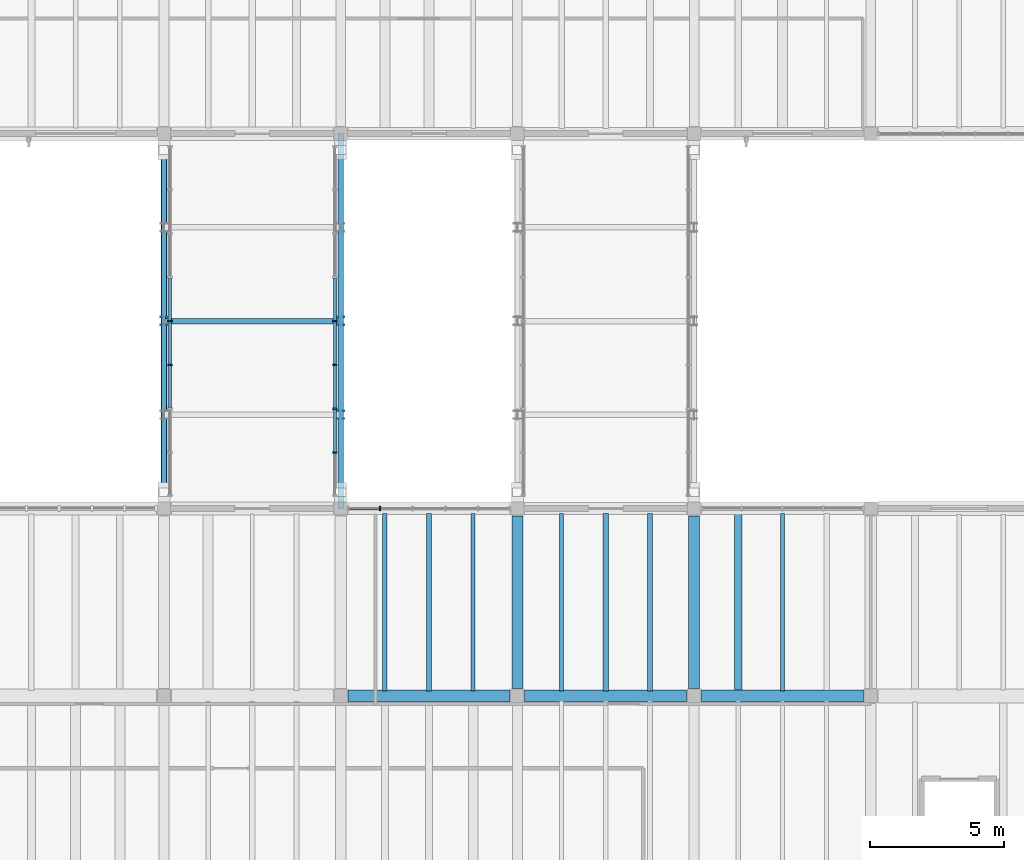
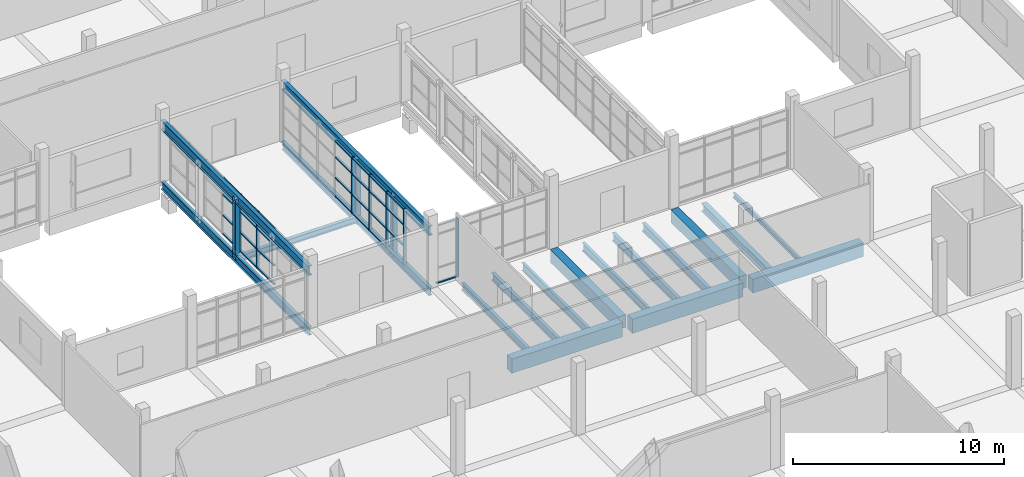
# One storey, part 18 of 65: 43 members, 14 beams, 3 elements without a shape of their own.
"""IFC4 building model written with IfcOpenShell, lengths in metres."""

import ifcopenshell
import ifcopenshell.guid

model = None  # the IFC model being written
_history = None  # IfcOwnerHistory: only IFC2X3 demands one
_inside = {}  # id of a spatial element -> (the spatial element, [elements in it])
_under = {}  # id of a project, library or spatial element -> (it, [spatial elements below it])
_declared = {}  # id of a project -> (the project, [libraries it declares])
_typed = {}  # id of a type object -> (the type object, [elements of that type])
_made_of = {}  # id of a material, layer set ... -> (it, [elements and type objects made of it])


def new_model(schema):
    """Start an empty IFC model of exactly this schema.

    Asked for "IFC4X3", IfcOpenShell would pick the latest addendum, in which some entities
    have other attributes; the version numbers below select the first issue.
    IFC2X3 requires an IfcOwnerHistory on every rooted entity: one is made here for all.
    """
    global model, _history
    if schema == "IFC4X3":
        model = ifcopenshell.file(schema_version=(4, 3, 0, 0))
    else:
        model = ifcopenshell.file(schema=schema)
    _inside.clear()
    _under.clear()
    _declared.clear()
    _typed.clear()
    _made_of.clear()
    _history = None
    if model.schema == "IFC2X3":
        org = make("IfcOrganization", Name="unknown")
        user = make(
            "IfcPersonAndOrganization",
            ThePerson=make("IfcPerson", FamilyName="unknown"),
            TheOrganization=org,
        )
        app = make(
            "IfcApplication",
            ApplicationDeveloper=org,
            Version="unknown",
            ApplicationFullName="unknown",
            ApplicationIdentifier="unknown",
        )
        _history = make(
            "IfcOwnerHistory",
            OwningUser=user,
            OwningApplication=app,
            ChangeAction="ADDED",
            CreationDate=0,
        )
    return model


def make(cls, **values):
    """One entity of the class cls with the attributes given. An attribute that is None is left unset."""
    return model.create_entity(
        cls, **{name: value for name, value in values.items() if value is not None}
    )


def rooted(cls, **values):
    """An entity with a GlobalId (a new one), such as an element, a storey or a relation."""
    return make(cls, GlobalId=ifcopenshell.guid.new(), OwnerHistory=_history, **values)


def si_unit(unit_type, name, prefix=None):
    """IfcSIUnit, for example si_unit("LENGTHUNIT", "METRE", prefix="MILLI")."""
    return make("IfcSIUnit", UnitType=unit_type, Prefix=prefix, Name=name)


def assignment(units):
    """IfcUnitAssignment: the units of a project."""
    return None if units is None else make("IfcUnitAssignment", Units=units)


def point(xyz):
    """IfcCartesianPoint."""
    return None if xyz is None else make("IfcCartesianPoint", Coordinates=xyz)


def direction(xyz):
    """IfcDirection."""
    return None if xyz is None else make("IfcDirection", DirectionRatios=xyz)


def frame(location, z_axis=None, x_axis=None):
    """IfcAxis2Placement3D, a coordinate frame: its origin and axes. An axis left out is left unset."""
    return make(
        "IfcAxis2Placement3D",
        Location=point(location),
        Axis=direction(z_axis),
        RefDirection=direction(x_axis),
    )


def frame_2d(location, x_axis=None):
    """IfcAxis2Placement2D, a coordinate frame in the plane: its origin and x axis."""
    return make(
        "IfcAxis2Placement2D", Location=point(location), RefDirection=direction(x_axis)
    )


def origin():
    """The frame at (0, 0, 0) with its axes left unset."""
    return frame((0.0, 0.0, 0.0))


def origin_2d():
    """The frame at (0, 0) in the plane with its x axis left unset."""
    return frame_2d((0.0, 0.0))


def place(relative_to, where):
    """IfcLocalPlacement: puts the frame where relative to a parent placement (None: the world)."""
    return make(
        "IfcLocalPlacement", PlacementRelTo=relative_to, RelativePlacement=where
    )


def context(
    kind, dimensions, precision=None, world=None, true_north=None, identifier=None
):
    """IfcGeometricRepresentationContext, for example the 3D "Model" context."""
    return make(
        "IfcGeometricRepresentationContext",
        ContextIdentifier=identifier,
        ContextType=kind,
        CoordinateSpaceDimension=dimensions,
        Precision=precision,
        WorldCoordinateSystem=world,
        TrueNorth=true_north,
    )


def subcontext(parent, identifier, kind, view, scale=None):
    """IfcGeometricRepresentationSubContext, for example "Body" below "Model"."""
    return make(
        "IfcGeometricRepresentationSubContext",
        ContextIdentifier=identifier,
        ContextType=kind,
        ParentContext=parent,
        TargetScale=scale,
        TargetView=view,
    )


def project(units=None, contexts=None):
    """IfcProject with its units and contexts."""
    return rooted(
        "IfcProject",
        Name="project",
        RepresentationContexts=contexts,
        UnitsInContext=assignment(units),
    )


def spatial(cls, under=None, at=None, **own):
    """A site, building, storey or space (cls), placed at a placement, below another one or the project."""
    s = rooted(cls, ObjectPlacement=at, **own)
    if under is not None:
        _under.setdefault(under.id(), (under, []))[1].append(s)
    return s


def profile(cls, at=None, kind="AREA", **sizes):
    """A parametric profile (cls). Its sizes go by their IFC names, for example OverallWidth=200.0."""
    return make(cls, ProfileType=kind, Position=at, **sizes)


def rectangle(**sizes):
    """IfcRectangleProfileDef."""
    return profile("IfcRectangleProfileDef", **sizes)


def i_section(**sizes):
    """IfcIShapeProfileDef."""
    return profile("IfcIShapeProfileDef", **sizes)


def extrude(swept, where, along, depth):
    """IfcExtrudedAreaSolid: the profile swept, set in the frame where, extruded along a direction by depth."""
    return make(
        "IfcExtrudedAreaSolid",
        SweptArea=swept,
        Position=where,
        ExtrudedDirection=direction(along),
        Depth=depth,
    )


def shape(context_of_items, identifier, shape_type, items):
    """IfcShapeRepresentation: the items that make up one representation, for example the "Body"."""
    return make(
        "IfcShapeRepresentation",
        ContextOfItems=context_of_items,
        RepresentationIdentifier=identifier,
        RepresentationType=shape_type,
        Items=items,
    )


def material(Name=None, Category=None):
    """IfcMaterial."""
    return make("IfcMaterial", Name=Name, Category=Category)


def material_profile(
    of_material, cross_section, Name=None, Category=None, Priority=None
):
    """IfcMaterialProfile: a cross section and its material."""
    return make(
        "IfcMaterialProfile",
        Name=Name,
        Material=of_material,
        Profile=cross_section,
        Priority=Priority,
        Category=Category,
    )


def profile_set(profiles, Name=None, composite=None):
    """IfcMaterialProfileSet."""
    return make(
        "IfcMaterialProfileSet",
        Name=Name,
        MaterialProfiles=profiles,
        CompositeProfile=composite,
    )


def made_of(thing, what):
    """Note that an element or type object is made of a material, layer set ...; save() writes the relation."""
    if what is not None:
        _made_of.setdefault(what.id(), (what, []))[1].append(thing)
    return thing


def type_object(cls, material=None, **own):
    """A type object (cls), such as IfcWallType, which elements share."""
    return made_of(rooted(cls, **own), material)


def element(
    cls,
    number,
    at=None,
    inside=None,
    cuts=None,
    type_object=None,
    material=None,
    context=None,
    identifier="Body",
    shape_type=None,
    held_by="IfcProductDefinitionShape",
    body=None,
    shapes=None,
    **own,
):
    """One element of the class cls, such as IfcWall. Its Tag is "e" and its number.

    at: its placement. inside: the storey or other place that contains it. cuts: it is an
    opening in that element (IfcRelVoidsElement). A single representation is given by context,
    identifier, shape_type and body (its items); several are given by shapes. held_by: the class
    of the entity that holds the representations. save() writes the other relations.
    """
    e = rooted(cls, Tag="e%d" % number, ObjectPlacement=at, **own)
    if body is not None:
        shapes = [shape(context, identifier, shape_type, body)]
    if shapes is not None:
        e.Representation = make(held_by, Representations=shapes)
    if inside is not None:
        _inside.setdefault(inside.id(), (inside, []))[1].append(e)
    if cuts is not None:
        rooted(
            "IfcRelVoidsElement", RelatingBuildingElement=cuts, RelatedOpeningElement=e
        )
    if type_object is not None:
        _typed.setdefault(type_object.id(), (type_object, []))[1].append(e)
    return made_of(e, material)


def aggregate(whole, parts):
    """IfcRelAggregates: a whole, such as a stair, and the parts it consists of."""
    return rooted("IfcRelAggregates", RelatingObject=whole, RelatedObjects=parts)


def save(model, path):
    """Write the relations noted so far, then the file.

    IfcRelAggregates (storeys below a building ...), IfcRelContainedInSpatialStructure (elements
    in a storey), IfcRelDefinesByType, IfcRelAssociatesMaterial and IfcRelDeclares: one each for
    every whole, place, type object, material and project.
    """
    for whole, parts in _under.values():
        aggregate(whole, parts)
    for where, things in _inside.values():
        rooted(
            "IfcRelContainedInSpatialStructure",
            RelatedElements=things,
            RelatingStructure=where,
        )
    for kind, things in _typed.values():
        rooted("IfcRelDefinesByType", RelatedObjects=things, RelatingType=kind)
    for what, things in _made_of.values():
        rooted("IfcRelAssociatesMaterial", RelatedObjects=things, RelatingMaterial=what)
    for by, libraries in _declared.values():
        rooted("IfcRelDeclares", RelatingContext=by, RelatedDefinitions=libraries)
    model.write(path)


model = new_model("IFC4")

# Units and contexts
model_context = context("Model", 3, precision=1e-05, world=origin(), true_north=direction((0.0, 1.0)))
body_context = subcontext(model_context, "Body", "Model", "MODEL_VIEW")
ifc_project = project(units=[si_unit("LENGTHUNIT", "METRE"), si_unit("AREAUNIT", "SQUARE_METRE"), si_unit("VOLUMEUNIT", "CUBIC_METRE"), si_unit("PLANEANGLEUNIT", "RADIAN"), si_unit("MASSUNIT", "GRAM", prefix="KILO")], contexts=[model_context])

# Site, building, storey
site_placement = place(None, origin())
site = spatial("IfcSite", under=ifc_project, at=site_placement, CompositionType="ELEMENT")
building_placement = place(site_placement, origin())
building = spatial("IfcBuilding", under=site, at=building_placement, Name="Ciguamira Faculty of Natural Sciences", CompositionType="ELEMENT")
storey_placement = place(building_placement, frame((0.0, 0.0, 12.60009765625)))
storey = spatial("IfcBuildingStorey", under=building, at=storey_placement, Name="L03", CompositionType="ELEMENT", Elevation=12.60009765625)

# Curtain wall, member
ifc_material_1 = material(Name="Anodized aluminium curtain wall", Category="aluminium")
curtain_wall_type_1 = type_object("IfcCurtainWallType", Name="CurtainWall_CW-07", PredefinedType="USERDEFINED", material=ifc_material_1)
curtain_wall_1_placement = place(storey_placement, origin())
curtain_wall_1 = element("IfcCurtainWall", 1, at=curtain_wall_1_placement, inside=storey, type_object=curtain_wall_type_1, Name="L03 unitised curtain wall 0091", ObjectType="UNITISED CURTAIN WALL", PredefinedType="USERDEFINED")
ifc_material_2 = material(Name="Anodized aluminium mullion", Category="aluminium")
ifc_material_profile_1 = material_profile(ifc_material_2, rectangle(XDim=0.06005859375, YDim=0.159912109375, at=origin_2d()), Name="ALU-MUL-60X160")
ifc_profile_set_1 = profile_set([ifc_material_profile_1], Name="Anodized aluminium mullion")
member_type_1 = type_object("IfcMemberType", Name="CWMullion_CWM-01", PredefinedType="MULLION", material=ifc_profile_set_1)
member_1_placement = place(storey_placement, frame((85.169921875, 59.0, 0.0), z_axis=(0.0, 0.0, 1.0), x_axis=(1.0, 0.0, 0.0)))
member_1 = element("IfcMember", 2, at=member_1_placement, type_object=member_type_1, Name="CW-07 mullion 2", PredefinedType="MULLION", context=body_context, shape_type="SweptSolid", body=[
    extrude(rectangle(XDim=0.06005859375, YDim=0.159912109375, at=origin_2d()), origin(), (0.0, 0.0, 1.0), 3.40478515625),
])

# Curtain wall, members
curtain_wall_type_2 = type_object("IfcCurtainWallType", Name="CurtainWall_CW-10", PredefinedType="USERDEFINED", material=ifc_material_1)
curtain_wall_2_placement = place(storey_placement, origin())
curtain_wall_2 = element("IfcCurtainWall", 3, at=curtain_wall_2_placement, inside=storey, type_object=curtain_wall_type_2, Name="Link bridge BR-3 glazed curtain wall W", ObjectType="UNITISED CURTAIN WALL", PredefinedType="USERDEFINED")
member_2_placement = place(storey_placement, frame((77.320068359375, 64.362548828125, 0.0), z_axis=(0.0, 0.0, 1.0), x_axis=(0.0, 1.0, 0.0)))
member_2 = element("IfcMember", 4, at=member_2_placement, type_object=member_type_1, Name="CW-10 mullion 4", PredefinedType="MULLION", context=body_context, shape_type="SweptSolid", body=[
    extrude(rectangle(XDim=0.06005859375, YDim=0.159912109375, at=origin_2d()), origin(), (0.0, 0.0, 1.0), 3.25),
])
member_3_placement = place(storey_placement, frame((77.320068359375, 66.0, 0.0), z_axis=(0.0, 0.0, 1.0), x_axis=(0.0, 1.0, 0.0)))
member_3 = element("IfcMember", 5, at=member_3_placement, type_object=member_type_1, Name="CW-10 mullion 5", PredefinedType="MULLION", context=body_context, shape_type="SweptSolid", body=[
    extrude(rectangle(XDim=0.06005859375, YDim=0.159912109375, at=origin_2d()), origin(), (0.0, 0.0, 1.0), 3.25),
])

curtain_wall_type_3 = type_object("IfcCurtainWallType", Name="CurtainWall_CW-11", PredefinedType="USERDEFINED", material=ifc_material_1)
curtain_wall_3_placement = place(storey_placement, origin())
curtain_wall_3 = element("IfcCurtainWall", 6, at=curtain_wall_3_placement, inside=storey, type_object=curtain_wall_type_3, Name="Link bridge BR-3 glazed curtain wall E", ObjectType="UNITISED CURTAIN WALL", PredefinedType="USERDEFINED")
member_4_placement = place(storey_placement, frame((83.47998046875, 61.08740234375, 0.0), z_axis=(0.0, 0.0, 1.0), x_axis=(0.0, 1.0, 0.0)))
member_4 = element("IfcMember", 7, at=member_4_placement, type_object=member_type_1, Name="CW-11 mullion 2", PredefinedType="MULLION", context=body_context, shape_type="SweptSolid", body=[
    extrude(rectangle(XDim=0.06005859375, YDim=0.159912109375, at=origin_2d()), origin(), (0.0, 0.0, 1.0), 3.25),
])
member_5_placement = place(storey_placement, frame((83.47998046875, 62.72509765625, 0.0), z_axis=(0.0, 0.0, 1.0), x_axis=(0.0, 1.0, 0.0)))
member_5 = element("IfcMember", 8, at=member_5_placement, type_object=member_type_1, Name="CW-11 mullion 3", PredefinedType="MULLION", context=body_context, shape_type="SweptSolid", body=[
    extrude(rectangle(XDim=0.06005859375, YDim=0.159912109375, at=origin_2d()), origin(), (0.0, 0.0, 1.0), 3.25),
])
member_6_placement = place(storey_placement, frame((83.47998046875, 64.362548828125, 0.0), z_axis=(0.0, 0.0, 1.0), x_axis=(0.0, 1.0, 0.0)))
member_6 = element("IfcMember", 9, at=member_6_placement, type_object=member_type_1, Name="CW-11 mullion 4", PredefinedType="MULLION", context=body_context, shape_type="SweptSolid", body=[
    extrude(rectangle(XDim=0.06005859375, YDim=0.159912109375, at=origin_2d()), origin(), (0.0, 0.0, 1.0), 3.25),
])
member_7_placement = place(storey_placement, frame((83.47998046875, 66.0, 0.0), z_axis=(0.0, 0.0, 1.0), x_axis=(0.0, 1.0, 0.0)))
member_7 = element("IfcMember", 10, at=member_7_placement, type_object=member_type_1, Name="CW-11 mullion 5", PredefinedType="MULLION", context=body_context, shape_type="SweptSolid", body=[
    extrude(rectangle(XDim=0.06005859375, YDim=0.159912109375, at=origin_2d()), origin(), (0.0, 0.0, 1.0), 3.25),
])

# Member
ifc_material_3 = material(Name="Anodized aluminium transom", Category="aluminium")
ifc_material_profile_2 = material_profile(ifc_material_3, rectangle(XDim=0.06005859375, YDim=0.1201171875, at=origin_2d()), Name="ALU-TRN-60X120")
ifc_profile_set_2 = profile_set([ifc_material_profile_2], Name="Anodized aluminium transom")
member_type_2 = type_object("IfcMemberType", Name="CWTransom_CWT-01", PredefinedType="USERDEFINED", material=ifc_profile_set_2)
member_8_placement = place(storey_placement, frame((84.010009765625, 59.0, 0.02978515625), z_axis=(1.0, 0.0, 0.0), x_axis=(0.0, 0.0, 1.0)))
member_8 = element("IfcMember", 11, at=member_8_placement, type_object=member_type_2, Name="CW-07 transom 1.1", ObjectType="TRANSOM", PredefinedType="USERDEFINED", context=body_context, shape_type="SweptSolid", body=[
    extrude(rectangle(XDim=0.06005859375, YDim=0.1201171875, at=origin_2d()), origin(), (0.0, 0.0, 1.0), 1.1298828125),
])

aggregate(curtain_wall_1, [member_1, member_8])

member_9_placement = place(storey_placement, frame((77.320068359375, 62.7548828125, 0.02978515625), z_axis=(0.0, 1.0, 0.0), x_axis=(0.0, 0.0, 1.0)))
member_9 = element("IfcMember", 12, at=member_9_placement, type_object=member_type_2, Name="CW-10 transom 3.1", ObjectType="TRANSOM", PredefinedType="USERDEFINED", context=body_context, shape_type="SweptSolid", body=[
    extrude(rectangle(XDim=0.06005859375, YDim=0.1201171875, at=origin_2d()), origin(), (0.0, 0.0, 1.0), 1.57763671875),
])

member_10_placement = place(storey_placement, frame((77.320068359375, 62.7548828125, 1.099853515625), z_axis=(0.0, 1.0, 0.0), x_axis=(0.0, 0.0, 1.0)))
member_10 = element("IfcMember", 13, at=member_10_placement, type_object=member_type_2, Name="CW-10 transom 3.2", ObjectType="TRANSOM", PredefinedType="USERDEFINED", context=body_context, shape_type="SweptSolid", body=[
    extrude(rectangle(XDim=0.06005859375, YDim=0.1201171875, at=origin_2d()), origin(), (0.0, 0.0, 1.0), 1.57763671875),
])

member_11_placement = place(storey_placement, frame((77.320068359375, 62.7548828125, 2.2998046875), z_axis=(0.0, 1.0, 0.0), x_axis=(0.0, 0.0, 1.0)))
member_11 = element("IfcMember", 14, at=member_11_placement, type_object=member_type_2, Name="CW-10 transom 3.3", ObjectType="TRANSOM", PredefinedType="USERDEFINED", context=body_context, shape_type="SweptSolid", body=[
    extrude(rectangle(XDim=0.06005859375, YDim=0.1201171875, at=origin_2d()), origin(), (0.0, 0.0, 1.0), 1.57763671875),
])

member_12_placement = place(storey_placement, frame((77.320068359375, 62.7548828125, 3.219970703125), z_axis=(0.0, 1.0, 0.0), x_axis=(0.0, 0.0, 1.0)))
member_12 = element("IfcMember", 15, at=member_12_placement, type_object=member_type_2, Name="CW-10 transom 3.4", ObjectType="TRANSOM", PredefinedType="USERDEFINED", context=body_context, shape_type="SweptSolid", body=[
    extrude(rectangle(XDim=0.06005859375, YDim=0.1201171875, at=origin_2d()), origin(), (0.0, 0.0, 1.0), 1.57763671875),
])

member_13_placement = place(storey_placement, frame((77.320068359375, 64.392578125, 0.02978515625), z_axis=(0.0, 1.0, 0.0), x_axis=(0.0, 0.0, 1.0)))
member_13 = element("IfcMember", 16, at=member_13_placement, type_object=member_type_2, Name="CW-10 transom 4.1", ObjectType="TRANSOM", PredefinedType="USERDEFINED", context=body_context, shape_type="SweptSolid", body=[
    extrude(rectangle(XDim=0.06005859375, YDim=0.1201171875, at=origin_2d()), origin(), (0.0, 0.0, 1.0), 1.577392578125),
])

member_14_placement = place(storey_placement, frame((77.320068359375, 64.392578125, 1.099853515625), z_axis=(0.0, 1.0, 0.0), x_axis=(0.0, 0.0, 1.0)))
member_14 = element("IfcMember", 17, at=member_14_placement, type_object=member_type_2, Name="CW-10 transom 4.2", ObjectType="TRANSOM", PredefinedType="USERDEFINED", context=body_context, shape_type="SweptSolid", body=[
    extrude(rectangle(XDim=0.06005859375, YDim=0.1201171875, at=origin_2d()), origin(), (0.0, 0.0, 1.0), 1.577392578125),
])

member_15_placement = place(storey_placement, frame((77.320068359375, 64.392578125, 2.2998046875), z_axis=(0.0, 1.0, 0.0), x_axis=(0.0, 0.0, 1.0)))
member_15 = element("IfcMember", 18, at=member_15_placement, type_object=member_type_2, Name="CW-10 transom 4.3", ObjectType="TRANSOM", PredefinedType="USERDEFINED", context=body_context, shape_type="SweptSolid", body=[
    extrude(rectangle(XDim=0.06005859375, YDim=0.1201171875, at=origin_2d()), origin(), (0.0, 0.0, 1.0), 1.577392578125),
])

member_16_placement = place(storey_placement, frame((77.320068359375, 64.392578125, 3.219970703125), z_axis=(0.0, 1.0, 0.0), x_axis=(0.0, 0.0, 1.0)))
member_16 = element("IfcMember", 19, at=member_16_placement, type_object=member_type_2, Name="CW-10 transom 4.4", ObjectType="TRANSOM", PredefinedType="USERDEFINED", context=body_context, shape_type="SweptSolid", body=[
    extrude(rectangle(XDim=0.06005859375, YDim=0.1201171875, at=origin_2d()), origin(), (0.0, 0.0, 1.0), 1.577392578125),
])

member_17_placement = place(storey_placement, frame((77.320068359375, 66.030029296875, 0.02978515625), z_axis=(0.0, 1.0, 0.0), x_axis=(0.0, 0.0, 1.0)))
member_17 = element("IfcMember", 20, at=member_17_placement, type_object=member_type_2, Name="CW-10 transom 5.1", ObjectType="TRANSOM", PredefinedType="USERDEFINED", context=body_context, shape_type="SweptSolid", body=[
    extrude(rectangle(XDim=0.06005859375, YDim=0.1201171875, at=origin_2d()), origin(), (0.0, 0.0, 1.0), 1.577392578125),
])

member_18_placement = place(storey_placement, frame((77.320068359375, 66.030029296875, 1.099853515625), z_axis=(0.0, 1.0, 0.0), x_axis=(0.0, 0.0, 1.0)))
member_18 = element("IfcMember", 21, at=member_18_placement, type_object=member_type_2, Name="CW-10 transom 5.2", ObjectType="TRANSOM", PredefinedType="USERDEFINED", context=body_context, shape_type="SweptSolid", body=[
    extrude(rectangle(XDim=0.06005859375, YDim=0.1201171875, at=origin_2d()), origin(), (0.0, 0.0, 1.0), 1.577392578125),
])

member_19_placement = place(storey_placement, frame((77.320068359375, 66.030029296875, 2.2998046875), z_axis=(0.0, 1.0, 0.0), x_axis=(0.0, 0.0, 1.0)))
member_19 = element("IfcMember", 22, at=member_19_placement, type_object=member_type_2, Name="CW-10 transom 5.3", ObjectType="TRANSOM", PredefinedType="USERDEFINED", context=body_context, shape_type="SweptSolid", body=[
    extrude(rectangle(XDim=0.06005859375, YDim=0.1201171875, at=origin_2d()), origin(), (0.0, 0.0, 1.0), 1.577392578125),
])

member_20_placement = place(storey_placement, frame((77.320068359375, 66.030029296875, 3.219970703125), z_axis=(0.0, 1.0, 0.0), x_axis=(0.0, 0.0, 1.0)))
member_20 = element("IfcMember", 23, at=member_20_placement, type_object=member_type_2, Name="CW-10 transom 5.4", ObjectType="TRANSOM", PredefinedType="USERDEFINED", context=body_context, shape_type="SweptSolid", body=[
    extrude(rectangle(XDim=0.06005859375, YDim=0.1201171875, at=origin_2d()), origin(), (0.0, 0.0, 1.0), 1.577392578125),
])

aggregate(curtain_wall_2, [member_2, member_3, member_9, member_10, member_11, member_12, member_13, member_14, member_15, member_16, member_17, member_18, member_19, member_20])

member_21_placement = place(storey_placement, frame((83.47998046875, 61.117431640625, 0.02978515625), z_axis=(0.0, 1.0, 0.0), x_axis=(0.0, 0.0, 1.0)))
member_21 = element("IfcMember", 24, at=member_21_placement, type_object=member_type_2, Name="CW-11 transom 2.1", ObjectType="TRANSOM", PredefinedType="USERDEFINED", context=body_context, shape_type="SweptSolid", body=[
    extrude(rectangle(XDim=0.06005859375, YDim=0.1201171875, at=origin_2d()), origin(), (0.0, 0.0, 1.0), 1.57763671875),
])

member_22_placement = place(storey_placement, frame((83.47998046875, 61.117431640625, 1.099853515625), z_axis=(0.0, 1.0, 0.0), x_axis=(0.0, 0.0, 1.0)))
member_22 = element("IfcMember", 25, at=member_22_placement, type_object=member_type_2, Name="CW-11 transom 2.2", ObjectType="TRANSOM", PredefinedType="USERDEFINED", context=body_context, shape_type="SweptSolid", body=[
    extrude(rectangle(XDim=0.06005859375, YDim=0.1201171875, at=origin_2d()), origin(), (0.0, 0.0, 1.0), 1.57763671875),
])

member_23_placement = place(storey_placement, frame((83.47998046875, 61.117431640625, 2.2998046875), z_axis=(0.0, 1.0, 0.0), x_axis=(0.0, 0.0, 1.0)))
member_23 = element("IfcMember", 26, at=member_23_placement, type_object=member_type_2, Name="CW-11 transom 2.3", ObjectType="TRANSOM", PredefinedType="USERDEFINED", context=body_context, shape_type="SweptSolid", body=[
    extrude(rectangle(XDim=0.06005859375, YDim=0.1201171875, at=origin_2d()), origin(), (0.0, 0.0, 1.0), 1.57763671875),
])

member_24_placement = place(storey_placement, frame((83.47998046875, 61.117431640625, 3.219970703125), z_axis=(0.0, 1.0, 0.0), x_axis=(0.0, 0.0, 1.0)))
member_24 = element("IfcMember", 27, at=member_24_placement, type_object=member_type_2, Name="CW-11 transom 2.4", ObjectType="TRANSOM", PredefinedType="USERDEFINED", context=body_context, shape_type="SweptSolid", body=[
    extrude(rectangle(XDim=0.06005859375, YDim=0.1201171875, at=origin_2d()), origin(), (0.0, 0.0, 1.0), 1.57763671875),
])

member_25_placement = place(storey_placement, frame((83.47998046875, 62.7548828125, 0.02978515625), z_axis=(0.0, 1.0, 0.0), x_axis=(0.0, 0.0, 1.0)))
member_25 = element("IfcMember", 28, at=member_25_placement, type_object=member_type_2, Name="CW-11 transom 3.1", ObjectType="TRANSOM", PredefinedType="USERDEFINED", context=body_context, shape_type="SweptSolid", body=[
    extrude(rectangle(XDim=0.06005859375, YDim=0.1201171875, at=origin_2d()), origin(), (0.0, 0.0, 1.0), 1.57763671875),
])

member_26_placement = place(storey_placement, frame((83.47998046875, 62.7548828125, 1.099853515625), z_axis=(0.0, 1.0, 0.0), x_axis=(0.0, 0.0, 1.0)))
member_26 = element("IfcMember", 29, at=member_26_placement, type_object=member_type_2, Name="CW-11 transom 3.2", ObjectType="TRANSOM", PredefinedType="USERDEFINED", context=body_context, shape_type="SweptSolid", body=[
    extrude(rectangle(XDim=0.06005859375, YDim=0.1201171875, at=origin_2d()), origin(), (0.0, 0.0, 1.0), 1.57763671875),
])

member_27_placement = place(storey_placement, frame((83.47998046875, 62.7548828125, 2.2998046875), z_axis=(0.0, 1.0, 0.0), x_axis=(0.0, 0.0, 1.0)))
member_27 = element("IfcMember", 30, at=member_27_placement, type_object=member_type_2, Name="CW-11 transom 3.3", ObjectType="TRANSOM", PredefinedType="USERDEFINED", context=body_context, shape_type="SweptSolid", body=[
    extrude(rectangle(XDim=0.06005859375, YDim=0.1201171875, at=origin_2d()), origin(), (0.0, 0.0, 1.0), 1.57763671875),
])

member_28_placement = place(storey_placement, frame((83.47998046875, 62.7548828125, 3.219970703125), z_axis=(0.0, 1.0, 0.0), x_axis=(0.0, 0.0, 1.0)))
member_28 = element("IfcMember", 31, at=member_28_placement, type_object=member_type_2, Name="CW-11 transom 3.4", ObjectType="TRANSOM", PredefinedType="USERDEFINED", context=body_context, shape_type="SweptSolid", body=[
    extrude(rectangle(XDim=0.06005859375, YDim=0.1201171875, at=origin_2d()), origin(), (0.0, 0.0, 1.0), 1.57763671875),
])

member_29_placement = place(storey_placement, frame((83.47998046875, 64.392578125, 0.02978515625), z_axis=(0.0, 1.0, 0.0), x_axis=(0.0, 0.0, 1.0)))
member_29 = element("IfcMember", 32, at=member_29_placement, type_object=member_type_2, Name="CW-11 transom 4.1", ObjectType="TRANSOM", PredefinedType="USERDEFINED", context=body_context, shape_type="SweptSolid", body=[
    extrude(rectangle(XDim=0.06005859375, YDim=0.1201171875, at=origin_2d()), origin(), (0.0, 0.0, 1.0), 1.577392578125),
])

member_30_placement = place(storey_placement, frame((83.47998046875, 64.392578125, 1.099853515625), z_axis=(0.0, 1.0, 0.0), x_axis=(0.0, 0.0, 1.0)))
member_30 = element("IfcMember", 33, at=member_30_placement, type_object=member_type_2, Name="CW-11 transom 4.2", ObjectType="TRANSOM", PredefinedType="USERDEFINED", context=body_context, shape_type="SweptSolid", body=[
    extrude(rectangle(XDim=0.06005859375, YDim=0.1201171875, at=origin_2d()), origin(), (0.0, 0.0, 1.0), 1.577392578125),
])

member_31_placement = place(storey_placement, frame((83.47998046875, 64.392578125, 2.2998046875), z_axis=(0.0, 1.0, 0.0), x_axis=(0.0, 0.0, 1.0)))
member_31 = element("IfcMember", 34, at=member_31_placement, type_object=member_type_2, Name="CW-11 transom 4.3", ObjectType="TRANSOM", PredefinedType="USERDEFINED", context=body_context, shape_type="SweptSolid", body=[
    extrude(rectangle(XDim=0.06005859375, YDim=0.1201171875, at=origin_2d()), origin(), (0.0, 0.0, 1.0), 1.577392578125),
])

member_32_placement = place(storey_placement, frame((83.47998046875, 64.392578125, 3.219970703125), z_axis=(0.0, 1.0, 0.0), x_axis=(0.0, 0.0, 1.0)))
member_32 = element("IfcMember", 35, at=member_32_placement, type_object=member_type_2, Name="CW-11 transom 4.4", ObjectType="TRANSOM", PredefinedType="USERDEFINED", context=body_context, shape_type="SweptSolid", body=[
    extrude(rectangle(XDim=0.06005859375, YDim=0.1201171875, at=origin_2d()), origin(), (0.0, 0.0, 1.0), 1.577392578125),
])

member_33_placement = place(storey_placement, frame((83.47998046875, 66.030029296875, 0.02978515625), z_axis=(0.0, 1.0, 0.0), x_axis=(0.0, 0.0, 1.0)))
member_33 = element("IfcMember", 36, at=member_33_placement, type_object=member_type_2, Name="CW-11 transom 5.1", ObjectType="TRANSOM", PredefinedType="USERDEFINED", context=body_context, shape_type="SweptSolid", body=[
    extrude(rectangle(XDim=0.06005859375, YDim=0.1201171875, at=origin_2d()), origin(), (0.0, 0.0, 1.0), 1.577392578125),
])

member_34_placement = place(storey_placement, frame((83.47998046875, 66.030029296875, 1.099853515625), z_axis=(0.0, 1.0, 0.0), x_axis=(0.0, 0.0, 1.0)))
member_34 = element("IfcMember", 37, at=member_34_placement, type_object=member_type_2, Name="CW-11 transom 5.2", ObjectType="TRANSOM", PredefinedType="USERDEFINED", context=body_context, shape_type="SweptSolid", body=[
    extrude(rectangle(XDim=0.06005859375, YDim=0.1201171875, at=origin_2d()), origin(), (0.0, 0.0, 1.0), 1.577392578125),
])

member_35_placement = place(storey_placement, frame((83.47998046875, 66.030029296875, 2.2998046875), z_axis=(0.0, 1.0, 0.0), x_axis=(0.0, 0.0, 1.0)))
member_35 = element("IfcMember", 38, at=member_35_placement, type_object=member_type_2, Name="CW-11 transom 5.3", ObjectType="TRANSOM", PredefinedType="USERDEFINED", context=body_context, shape_type="SweptSolid", body=[
    extrude(rectangle(XDim=0.06005859375, YDim=0.1201171875, at=origin_2d()), origin(), (0.0, 0.0, 1.0), 1.577392578125),
])

member_36_placement = place(storey_placement, frame((83.47998046875, 66.030029296875, 3.219970703125), z_axis=(0.0, 1.0, 0.0), x_axis=(0.0, 0.0, 1.0)))
member_36 = element("IfcMember", 39, at=member_36_placement, type_object=member_type_2, Name="CW-11 transom 5.4", ObjectType="TRANSOM", PredefinedType="USERDEFINED", context=body_context, shape_type="SweptSolid", body=[
    extrude(rectangle(XDim=0.06005859375, YDim=0.1201171875, at=origin_2d()), origin(), (0.0, 0.0, 1.0), 1.577392578125),
])

aggregate(curtain_wall_3, [member_4, member_5, member_6, member_7, member_21, member_22, member_23, member_24, member_25, member_26, member_27, member_28, member_29, member_30, member_31, member_32, member_33, member_34, member_35, member_36])

# Beams
ifc_material_4 = material(Name="Concrete C40/50", Category="concrete")
ifc_material_profile_3 = material_profile(ifc_material_4, rectangle(XDim=0.4599609375, YDim=0.820068359375, at=origin_2d()), Name="RC-BM-460X820")
ifc_profile_set_3 = profile_set([ifc_material_profile_3], Name="Concrete C40/50")
beam_type_1 = type_object("IfcBeamType", Name="RCBeam_BG-04_RC-BM-460X820", PredefinedType="BEAM", material=ifc_profile_set_3)
beam_1_placement = place(storey_placement, frame((83.97509765625, 52.0, -0.41015625), z_axis=(1.0, 0.0, 0.0), x_axis=(0.0, 1.0, 0.0)))
element("IfcBeam", 40, at=beam_1_placement, inside=storey, type_object=beam_type_1, Name="L03 RC girder EW-1104", PredefinedType="BEAM", context=body_context, shape_type="SweptSolid", body=[
    extrude(rectangle(XDim=0.4599609375, YDim=0.820068359375, at=origin_2d()), origin(), (0.0, 0.0, 1.0), 6.0498046875),
])
beam_2_placement = place(storey_placement, frame((90.574951171875, 52.0, -0.41015625), z_axis=(1.0, 0.0, 0.0), x_axis=(0.0, 1.0, 0.0)))
element("IfcBeam", 41, at=beam_2_placement, inside=storey, type_object=beam_type_1, Name="L03 RC girder EW-1105", PredefinedType="BEAM", context=body_context, shape_type="SweptSolid", body=[
    extrude(rectangle(XDim=0.4599609375, YDim=0.820068359375, at=origin_2d()), origin(), (0.0, 0.0, 1.0), 6.050048828125),
])
ifc_material_profile_4 = material_profile(ifc_material_4, rectangle(XDim=0.449951171875, YDim=0.800048828125, at=origin_2d()), Name="RC-BM-450X800")
ifc_profile_set_4 = profile_set([ifc_material_profile_4], Name="Concrete C40/50")
beam_type_2 = type_object("IfcBeamType", Name="RCBeam_BG-05_RC-BM-450X800", PredefinedType="BEAM", material=ifc_profile_set_4)
beam_3_placement = place(storey_placement, frame((97.175048828125, 52.0, -0.400146484375), z_axis=(1.0, 0.0, 0.0), x_axis=(0.0, 1.0, 0.0)))
element("IfcBeam", 42, at=beam_3_placement, inside=storey, type_object=beam_type_2, Name="L03 RC girder EW-1106", PredefinedType="BEAM", context=body_context, shape_type="SweptSolid", body=[
    extrude(rectangle(XDim=0.449951171875, YDim=0.800048828125, at=origin_2d()), origin(), (0.0, 0.0, 1.0), 6.050048828125),
])
ifc_material_profile_5 = material_profile(ifc_material_4, rectangle(XDim=0.419921875, YDim=0.739990234375, at=origin_2d()), Name="RC-BM-420X740")
ifc_profile_set_5 = profile_set([ifc_material_profile_5], Name="Concrete C40/50")
beam_type_3 = type_object("IfcBeamType", Name="RCBeam_BG-07_RC-BM-420X740", PredefinedType="BEAM", material=ifc_profile_set_5)
for number, where, z_axis, x_axis, name in (
    (43, (90.300048828125, 52.27490234375, -0.3701171875), (0.0, 1.0, 0.0), (-1.0, 0.0, 0.0), "L03 girder NS-1266"),
    (44, (96.89990234375, 52.27490234375, -0.3701171875), (0.0, 1.0, 0.0), (-1.0, 0.0, 0.0), "L03 girder NS-1277"),
):
    element("IfcBeam", number, at=place(storey_placement, frame(where, z_axis=z_axis, x_axis=x_axis)), inside=storey, type_object=beam_type_3, Name=name, PredefinedType="BEAM", context=body_context, shape_type="SweptSolid", body=[
        extrude(rectangle(XDim=0.419921875, YDim=0.739990234375, at=origin_2d()), origin(), (0.0, 0.0, 1.0), 6.4501953125),
    ])
ifc_material_5 = material(Name="Steel ASTM A992 Grade 50", Category="steel")
ifc_material_profile_6 = material_profile(ifc_material_5, i_section(OverallWidth=0.14599609375, OverallDepth=0.259033203125, WebThickness=0.006103515625, FlangeThickness=0.009033203125, at=origin_2d()), Name="W10X22")
ifc_profile_set_6 = profile_set([ifc_material_profile_6], Name="Steel ASTM A992 Grade 50")
beam_type_4 = type_object("IfcBeamType", Name="SteelJoist_SJ-01_W10X22", PredefinedType="JOIST", material=ifc_profile_set_6)
beam_4_placement = place(storey_placement, frame((100.199951171875, 52.18505859375, -0.40966796875), z_axis=(0.0, 1.0, 0.0), x_axis=(-1.0, 0.0, 0.0)))
element("IfcBeam", 45, at=beam_4_placement, inside=storey, type_object=beam_type_4, Name="L03 composite steel joist 01189", PredefinedType="JOIST", context=body_context, shape_type="SweptSolid", body=[
    extrude(i_section(OverallWidth=0.14599609375, OverallDepth=0.259033203125, WebThickness=0.006103515625, FlangeThickness=0.009033203125, at=origin_2d()), origin(), (0.0, 0.0, 1.0), 6.6298828125),
])
ifc_material_profile_7 = material_profile(ifc_material_5, i_section(OverallWidth=0.203125, OverallDepth=0.347900390625, WebThickness=0.0078125, FlangeThickness=0.013427734375, at=origin_2d()), Name="W14X43")
ifc_profile_set_7 = profile_set([ifc_material_profile_7], Name="Steel ASTM A992 Grade 50")
beam_type_5 = type_object("IfcBeamType", Name="SteelJoist_SJ-12_W14X43", PredefinedType="JOIST", material=ifc_profile_set_7)
beam_5_placement = place(storey_placement, frame((77.10009765625, 66.0, -0.39404296875), z_axis=(1.0, 0.0, 0.0), x_axis=(0.0, 1.0, 0.0)))
element("IfcBeam", 46, at=beam_5_placement, inside=storey, type_object=beam_type_5, Name="Link bridge BR-3 floor crossbeam 2", PredefinedType="JOIST", context=body_context, shape_type="SweptSolid", body=[
    extrude(i_section(OverallWidth=0.203125, OverallDepth=0.347900390625, WebThickness=0.0078125, FlangeThickness=0.013427734375, at=origin_2d()), origin(), (0.0, 0.0, 1.0), 6.599853515625),
])
ifc_material_profile_8 = material_profile(ifc_material_5, i_section(OverallWidth=0.1787109375, OverallDepth=0.408935546875, WebThickness=0.0087890625, FlangeThickness=0.014404296875, at=origin_2d()), Name="W16X45")
ifc_profile_set_8 = profile_set([ifc_material_profile_8], Name="Steel ASTM A992 Grade 50")
beam_type_6 = type_object("IfcBeamType", Name="SteelJoist_SJ-19_W16X45", PredefinedType="JOIST", material=ifc_profile_set_8)
beam_6_placement = place(storey_placement, frame((85.35009765625, 52.18994140625, -0.484619140625), z_axis=(0.0, 1.0, 0.0), x_axis=(-1.0, 0.0, 0.0)))
element("IfcBeam", 47, at=beam_6_placement, inside=storey, type_object=beam_type_6, Name="L03 composite steel joist 01137", PredefinedType="JOIST", context=body_context, shape_type="SweptSolid", body=[
    extrude(i_section(OverallWidth=0.1787109375, OverallDepth=0.408935546875, WebThickness=0.0087890625, FlangeThickness=0.014404296875, at=origin_2d()), origin(), (0.0, 0.0, 1.0), 6.6201171875),
])
ifc_material_profile_9 = material_profile(ifc_material_5, i_section(OverallWidth=0.180908203125, OverallDepth=0.41650390625, WebThickness=0.010986328125, FlangeThickness=0.01806640625, at=origin_2d()), Name="W16X57")
ifc_profile_set_9 = profile_set([ifc_material_profile_9], Name="Steel ASTM A992 Grade 50")
beam_type_7 = type_object("IfcBeamType", Name="SteelJoist_SJ-20_W16X57", PredefinedType="JOIST", material=ifc_profile_set_9)
beam_7_placement = place(storey_placement, frame((87.0, 52.18994140625, -0.48828125), z_axis=(0.0, 1.0, 0.0), x_axis=(-1.0, 0.0, 0.0)))
element("IfcBeam", 48, at=beam_7_placement, inside=storey, type_object=beam_type_7, Name="L03 composite steel joist 01138", PredefinedType="JOIST", context=body_context, shape_type="SweptSolid", body=[
    extrude(i_section(OverallWidth=0.180908203125, OverallDepth=0.41650390625, WebThickness=0.010986328125, FlangeThickness=0.01806640625, at=origin_2d()), origin(), (0.0, 0.0, 1.0), 6.6201171875),
])
ifc_material_profile_10 = material_profile(ifc_material_5, i_section(OverallWidth=0.15234375, OverallDepth=0.449462890625, WebThickness=0.007568359375, FlangeThickness=0.0107421875, at=origin_2d()), Name="W18X35")
ifc_profile_set_10 = profile_set([ifc_material_profile_10], Name="Steel ASTM A992 Grade 50")
beam_type_8 = type_object("IfcBeamType", Name="SteelJoist_SJ-21_W18X35", PredefinedType="JOIST", material=ifc_profile_set_10)
beam_8_placement = place(storey_placement, frame((88.64990234375, 52.18994140625, -0.5048828125), z_axis=(0.0, 1.0, 0.0), x_axis=(-1.0, 0.0, 0.0)))
element("IfcBeam", 49, at=beam_8_placement, inside=storey, type_object=beam_type_8, Name="L03 composite steel joist 01139", PredefinedType="JOIST", context=body_context, shape_type="SweptSolid", body=[
    extrude(i_section(OverallWidth=0.15234375, OverallDepth=0.449462890625, WebThickness=0.007568359375, FlangeThickness=0.0107421875, at=origin_2d()), origin(), (0.0, 0.0, 1.0), 6.6201171875),
])
ifc_material_profile_11 = material_profile(ifc_material_5, i_section(OverallWidth=0.15283203125, OverallDepth=0.45458984375, WebThickness=0.008056640625, FlangeThickness=0.013427734375, at=origin_2d()), Name="W18X40")
ifc_profile_set_11 = profile_set([ifc_material_profile_11], Name="Steel ASTM A992 Grade 50")
beam_type_9 = type_object("IfcBeamType", Name="SteelJoist_SJ-22_W18X40", PredefinedType="JOIST", material=ifc_profile_set_11)
beam_9_placement = place(storey_placement, frame((91.949951171875, 52.18994140625, -0.50732421875), z_axis=(0.0, 1.0, 0.0), x_axis=(-1.0, 0.0, 0.0)))
element("IfcBeam", 50, at=beam_9_placement, inside=storey, type_object=beam_type_9, Name="L03 composite steel joist 01162", PredefinedType="JOIST", context=body_context, shape_type="SweptSolid", body=[
    extrude(i_section(OverallWidth=0.15283203125, OverallDepth=0.45458984375, WebThickness=0.008056640625, FlangeThickness=0.013427734375, at=origin_2d()), origin(), (0.0, 0.0, 1.0), 6.6201171875),
])
ifc_material_profile_12 = material_profile(ifc_material_5, i_section(OverallWidth=0.1904296875, OverallDepth=0.457275390625, WebThickness=0.009033203125, FlangeThickness=0.014404296875, at=origin_2d()), Name="W18X50")
ifc_profile_set_12 = profile_set([ifc_material_profile_12], Name="Steel ASTM A992 Grade 50")
beam_type_10 = type_object("IfcBeamType", Name="SteelJoist_SJ-23_W18X50", PredefinedType="JOIST", material=ifc_profile_set_12)
beam_10_placement = place(storey_placement, frame((93.60009765625, 52.18994140625, -0.5087890625), z_axis=(0.0, 1.0, 0.0), x_axis=(-1.0, 0.0, 0.0)))
element("IfcBeam", 51, at=beam_10_placement, inside=storey, type_object=beam_type_10, Name="L03 composite steel joist 01163", PredefinedType="JOIST", context=body_context, shape_type="SweptSolid", body=[
    extrude(i_section(OverallWidth=0.1904296875, OverallDepth=0.457275390625, WebThickness=0.009033203125, FlangeThickness=0.014404296875, at=origin_2d()), origin(), (0.0, 0.0, 1.0), 6.6201171875),
])
ifc_material_profile_13 = material_profile(ifc_material_5, i_section(OverallWidth=0.19287109375, OverallDepth=0.46728515625, WebThickness=0.011474609375, FlangeThickness=0.01904296875, at=origin_2d()), Name="W18X65")
ifc_profile_set_13 = profile_set([ifc_material_profile_13], Name="Steel ASTM A992 Grade 50")
beam_type_11 = type_object("IfcBeamType", Name="SteelJoist_SJ-24_W18X65", PredefinedType="JOIST", material=ifc_profile_set_13)
beam_11_placement = place(storey_placement, frame((95.25, 52.18994140625, -0.513916015625), z_axis=(0.0, 1.0, 0.0), x_axis=(-1.0, 0.0, 0.0)))
element("IfcBeam", 52, at=beam_11_placement, inside=storey, type_object=beam_type_11, Name="L03 composite steel joist 01164", PredefinedType="JOIST", context=body_context, shape_type="SweptSolid", body=[
    extrude(i_section(OverallWidth=0.19287109375, OverallDepth=0.46728515625, WebThickness=0.011474609375, FlangeThickness=0.01904296875, at=origin_2d()), origin(), (0.0, 0.0, 1.0), 6.6201171875),
])
ifc_material_profile_14 = material_profile(ifc_material_5, i_section(OverallWidth=0.279296875, OverallDepth=0.462158203125, WebThickness=0.0107421875, FlangeThickness=0.017333984375, at=origin_2d()), Name="W18X76")
ifc_profile_set_14 = profile_set([ifc_material_profile_14], Name="Steel ASTM A992 Grade 50")
beam_type_12 = type_object("IfcBeamType", Name="SteelJoist_SJ-25_W18X76", PredefinedType="JOIST", material=ifc_profile_set_14)
beam_12_placement = place(storey_placement, frame((98.550048828125, 52.18505859375, -0.51123046875), z_axis=(0.0, 1.0, 0.0), x_axis=(-1.0, 0.0, 0.0)))
element("IfcBeam", 53, at=beam_12_placement, inside=storey, type_object=beam_type_12, Name="L03 composite steel joist 01188", PredefinedType="JOIST", context=body_context, shape_type="SweptSolid", body=[
    extrude(i_section(OverallWidth=0.279296875, OverallDepth=0.462158203125, WebThickness=0.0107421875, FlangeThickness=0.017333984375, at=origin_2d()), origin(), (0.0, 0.0, 1.0), 6.6298828125),
])

# Members
ifc_material_profile_15 = material_profile(ifc_material_5, i_section(OverallWidth=0.19287109375, OverallDepth=0.46728515625, WebThickness=0.011474609375, FlangeThickness=0.01904296875, at=origin_2d()), Name="W18X65")
ifc_profile_set_15 = profile_set([ifc_material_profile_15], Name="Steel ASTM A992 Grade 50")
member_type_3 = type_object("IfcMemberType", Name="SteelMember_TC-01_W18X65", PredefinedType="CHORD", material=ifc_profile_set_15)
for number, where, z_axis, x_axis, name in (
    (54, (77.10009765625, 59.0, -0.35009765625), (0.0, 1.0, 0.0), (-1.0, 0.0, 0.0), "Link bridge BR-3 bottom truss chord 1"),
    (55, (83.699951171875, 59.0, -0.35009765625), (0.0, 1.0, 0.0), (-1.0, 0.0, 0.0), "Link bridge BR-3 bottom truss chord 2"),
):
    element("IfcMember", number, at=place(storey_placement, frame(where, z_axis=z_axis, x_axis=x_axis)), inside=storey, type_object=member_type_3, Name=name, PredefinedType="CHORD", context=body_context, shape_type="SweptSolid", body=[
        extrude(i_section(OverallWidth=0.19287109375, OverallDepth=0.46728515625, WebThickness=0.011474609375, FlangeThickness=0.01904296875, at=origin_2d()), origin(), (0.0, 0.0, 1.0), 14.0),
    ])
ifc_material_profile_16 = material_profile(ifc_material_5, i_section(OverallWidth=0.2099609375, OverallDepth=0.535888671875, WebThickness=0.010986328125, FlangeThickness=0.017333984375, at=origin_2d()), Name="W21X68")
ifc_profile_set_16 = profile_set([ifc_material_profile_16], Name="Steel ASTM A992 Grade 50")
member_type_4 = type_object("IfcMemberType", Name="SteelMember_TC-02_W21X68", PredefinedType="CHORD", material=ifc_profile_set_16)
for number, where, z_axis, x_axis, name in (
    (56, (77.10009765625, 59.0, 3.14990234375), (0.0, 1.0, 0.0), (-1.0, 0.0, 0.0), "Link bridge BR-3 top truss chord 1"),
    (57, (83.699951171875, 59.0, 3.14990234375), (0.0, 1.0, 0.0), (-1.0, 0.0, 0.0), "Link bridge BR-3 top truss chord 2"),
):
    element("IfcMember", number, at=place(storey_placement, frame(where, z_axis=z_axis, x_axis=x_axis)), inside=storey, type_object=member_type_4, Name=name, PredefinedType="CHORD", context=body_context, shape_type="SweptSolid", body=[
        extrude(i_section(OverallWidth=0.2099609375, OverallDepth=0.535888671875, WebThickness=0.010986328125, FlangeThickness=0.017333984375, at=origin_2d()), origin(), (0.0, 0.0, 1.0), 14.0),
    ])
ifc_material_profile_17 = material_profile(ifc_material_5, i_section(OverallWidth=0.25390625, OverallDepth=0.307373046875, WebThickness=0.0087890625, FlangeThickness=0.0146484375, at=origin_2d()), Name="W12X53")
ifc_profile_set_17 = profile_set([ifc_material_profile_17], Name="Steel ASTM A992 Grade 50")
member_type_5 = type_object("IfcMemberType", Name="SteelMember_TS-02_W12X53", PredefinedType="STRUT", material=ifc_profile_set_17)
for number, where, z_axis, x_axis, name in (
    (58, (77.10009765625, 66.0, -0.35009765625), (0.0, 0.0, 1.0), (1.0, 0.0, 0.0), "Link bridge BR-3 truss vertical 1-3"),
    (59, (83.699951171875, 62.5, -0.35009765625), (0.0, 0.0, 1.0), (1.0, 0.0, 0.0), "Link bridge BR-3 truss vertical 2-2"),
    (60, (83.699951171875, 66.0, -0.35009765625), (0.0, 0.0, 1.0), (1.0, 0.0, 0.0), "Link bridge BR-3 truss vertical 2-3"),
):
    element("IfcMember", number, at=place(storey_placement, frame(where, z_axis=z_axis, x_axis=x_axis)), inside=storey, type_object=member_type_5, Name=name, PredefinedType="STRUT", context=body_context, shape_type="SweptSolid", body=[
        extrude(i_section(OverallWidth=0.25390625, OverallDepth=0.307373046875, WebThickness=0.0087890625, FlangeThickness=0.0146484375, at=origin_2d()), origin(), (0.0, 0.0, 1.0), 3.5),
    ])

save(model, "model.ifc")
